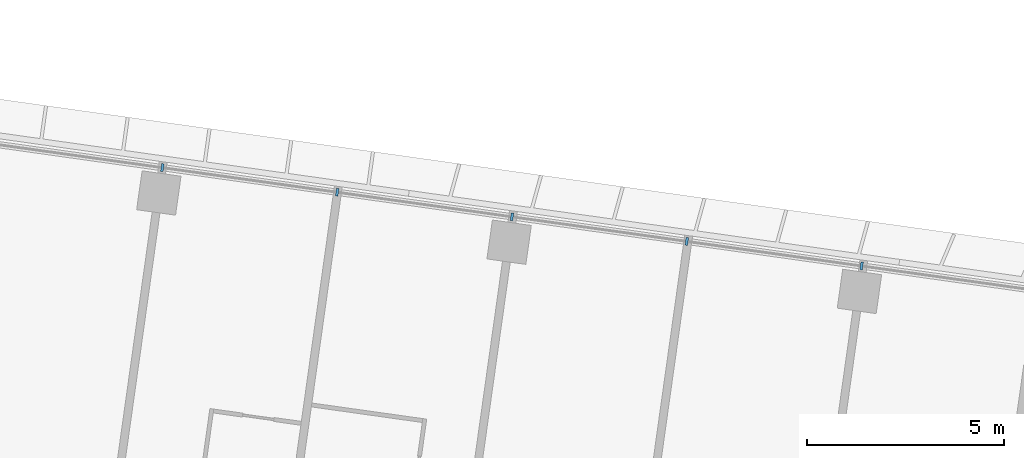
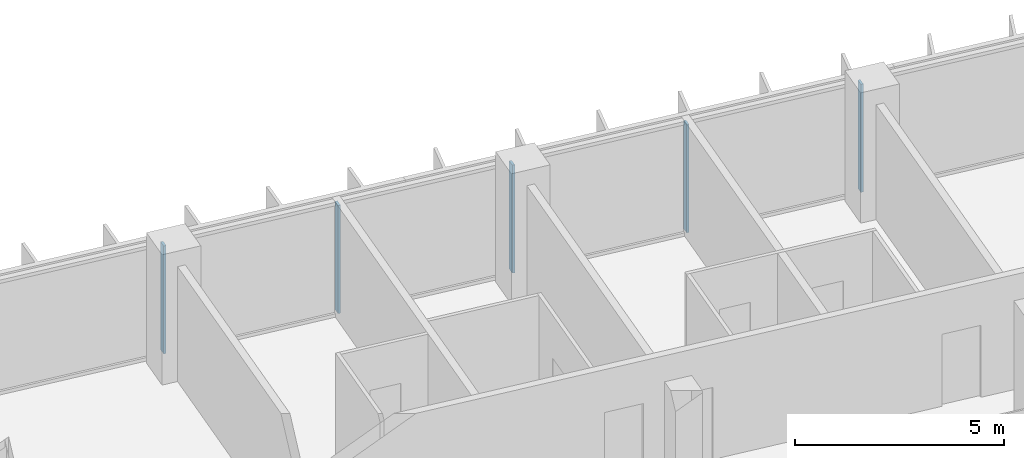
# One storey, part 5 of 24: 5 members, 1 element without a shape of its own.
"""IFC4 building model written with IfcOpenShell, lengths in metres."""

from ifc_helpers import new_model, si_unit, direction, frame, origin, origin_2d, place, context, subcontext, project, spatial, rectangle, extrude, material, material_profile, profile_set, type_object, element, aggregate, save


model = new_model("IFC4")

# Units and contexts
model_context = context("Model", 3, precision=1e-05, world=origin(), true_north=direction((0.0, 1.0)))
body_context = subcontext(model_context, "Body", "Model", "MODEL_VIEW")
ifc_project = project(units=[si_unit("LENGTHUNIT", "METRE"), si_unit("AREAUNIT", "SQUARE_METRE"), si_unit("VOLUMEUNIT", "CUBIC_METRE"), si_unit("PLANEANGLEUNIT", "RADIAN"), si_unit("MASSUNIT", "GRAM", prefix="KILO")], contexts=[model_context])

# Site, building, storey
site_placement = place(None, origin())
site = spatial("IfcSite", under=ifc_project, at=site_placement, CompositionType="ELEMENT")
building_placement = place(site_placement, origin())
building = spatial("IfcBuilding", under=site, at=building_placement, Name="Mirante Cascada Hotel Towers", CompositionType="ELEMENT")
storey_placement = place(building_placement, frame((0.0, 0.0, 47.1)))
storey = spatial("IfcBuildingStorey", under=building, at=storey_placement, Name="L08", CompositionType="ELEMENT", Elevation=47.1)

# Curtain wall, members
ifc_material_1 = material(Name="Aluminium mullion and transom frame with clear laminated glass", Category="aluminium")
curtain_wall_type = type_object("IfcCurtainWallType", Name="Ribbon curtain wall ECW1", PredefinedType="NOTDEFINED", material=ifc_material_1)
curtain_wall_placement = place(storey_placement, origin())
curtain_wall = element("IfcCurtainWall", 1, at=curtain_wall_placement, inside=storey, type_object=curtain_wall_type, Name="Front ribbon wall T1 L08", PredefinedType="NOTDEFINED")
ifc_material_2 = material(Name="Anodised aluminium extrusion", Category="aluminium")
ifc_material_profile = material_profile(ifc_material_2, rectangle(XDim=0.2, YDim=0.065, at=origin_2d()), Name="ECW1 MULLION 65x200")
ifc_profile_set = profile_set([ifc_material_profile], Name="Anodised aluminium extrusion")
member_type = type_object("IfcMemberType", Name="ECW1 mullion 65x200", PredefinedType="MULLION", material=ifc_profile_set)
member_1_placement = place(storey_placement, frame((-63.0262, 21.6768, 0.1), z_axis=(0.0, 0.0, 1.0), x_axis=(0.1391731, 0.9902681, 0.0)))
member_1 = element("IfcMember", 2, at=member_1_placement, type_object=member_type, Name="ECW1 mullion 8", PredefinedType="MULLION", context=body_context, shape_type="SweptSolid", body=[
    extrude(rectangle(XDim=0.2, YDim=0.065, at=origin_2d()), origin(), (0.0, 0.0, 1.0), 3.15),
])
member_2_placement = place(storey_placement, frame((-58.5788, 21.0517, 0.1), z_axis=(0.0, 0.0, 1.0), x_axis=(0.1391731, 0.9902681, 0.0)))
member_2 = element("IfcMember", 3, at=member_2_placement, type_object=member_type, Name="ECW1 mullion 9", PredefinedType="MULLION", context=body_context, shape_type="SweptSolid", body=[
    extrude(rectangle(XDim=0.2, YDim=0.065, at=origin_2d()), origin(), (0.0, 0.0, 1.0), 3.15),
])
member_3_placement = place(storey_placement, frame((-54.1314, 20.4267, 0.1), z_axis=(0.0, 0.0, 1.0), x_axis=(0.1391731, 0.9902681, 0.0)))
member_3 = element("IfcMember", 4, at=member_3_placement, type_object=member_type, Name="ECW1 mullion 10", PredefinedType="MULLION", context=body_context, shape_type="SweptSolid", body=[
    extrude(rectangle(XDim=0.2, YDim=0.065, at=origin_2d()), origin(), (0.0, 0.0, 1.0), 3.15),
])
member_4_placement = place(storey_placement, frame((-49.684, 19.8017, 0.1), z_axis=(0.0, 0.0, 1.0), x_axis=(0.1391731, 0.9902681, 0.0)))
member_4 = element("IfcMember", 5, at=member_4_placement, type_object=member_type, Name="ECW1 mullion 11", PredefinedType="MULLION", context=body_context, shape_type="SweptSolid", body=[
    extrude(rectangle(XDim=0.2, YDim=0.065, at=origin_2d()), origin(), (0.0, 0.0, 1.0), 3.15),
])
member_5_placement = place(storey_placement, frame((-45.2366, 19.1766, 0.1), z_axis=(0.0, 0.0, 1.0), x_axis=(0.1391731, 0.9902681, 0.0)))
member_5 = element("IfcMember", 6, at=member_5_placement, type_object=member_type, Name="ECW1 mullion 12", PredefinedType="MULLION", context=body_context, shape_type="SweptSolid", body=[
    extrude(rectangle(XDim=0.2, YDim=0.065, at=origin_2d()), origin(), (0.0, 0.0, 1.0), 3.15),
])
aggregate(curtain_wall, [member_1, member_2, member_3, member_4, member_5])

save(model, "model.ifc")
